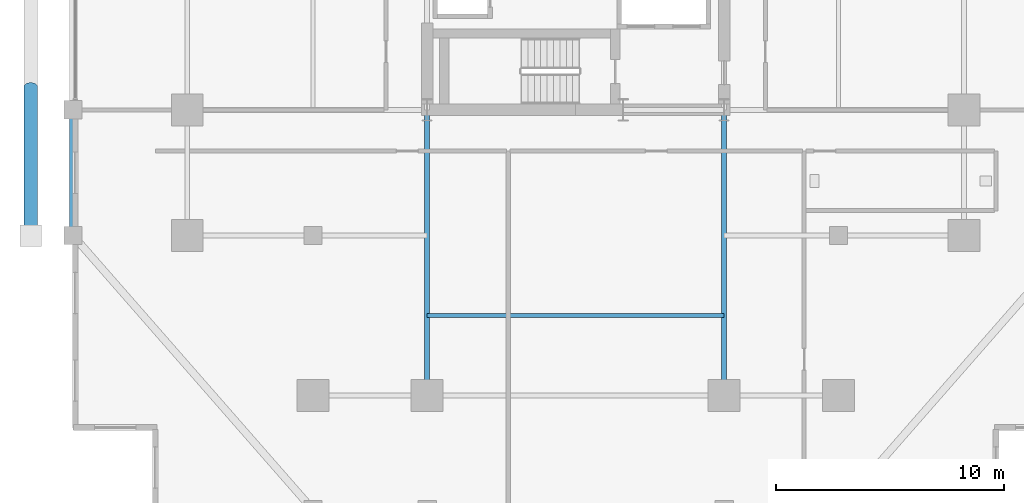
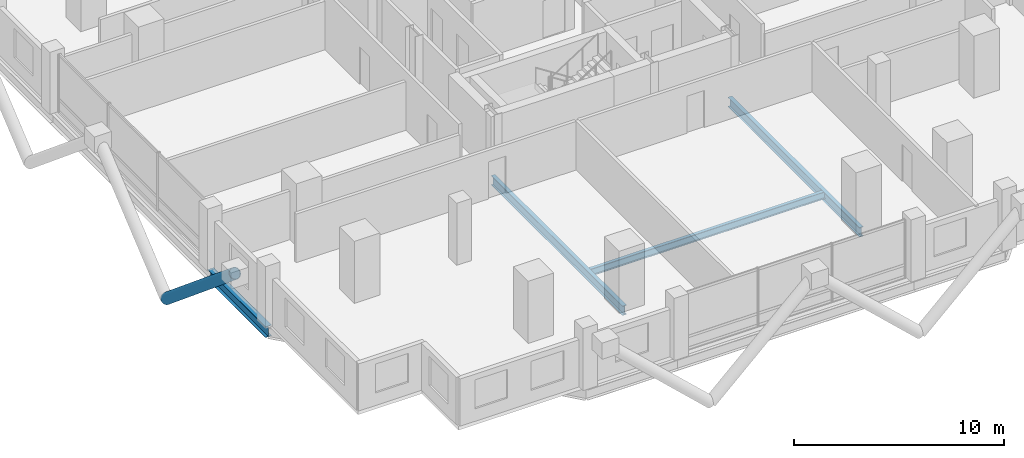
# One storey, part 3 of 21: 4 beams, 1 member.
"""IFC4 building model written with IfcOpenShell, lengths in metres."""

from ifc_helpers import new_model, si_unit, direction, frame, origin, origin_2d, place, context, subcontext, project, spatial, hollow_circle, i_section, extrude, material, material_profile, profile_set, type_object, element, save


model = new_model("IFC4")

# Units and contexts
model_context = context("Model", 3, precision=1e-05, world=origin(), true_north=direction((0.0, 1.0)))
body_context = subcontext(model_context, "Body", "Model", "MODEL_VIEW")
ifc_project = project(units=[si_unit("LENGTHUNIT", "METRE"), si_unit("AREAUNIT", "SQUARE_METRE"), si_unit("VOLUMEUNIT", "CUBIC_METRE"), si_unit("PLANEANGLEUNIT", "RADIAN"), si_unit("MASSUNIT", "GRAM", prefix="KILO")], contexts=[model_context])

# Site, building, storey
site_placement = place(None, origin())
site = spatial("IfcSite", under=ifc_project, at=site_placement, CompositionType="ELEMENT")
building_placement = place(site_placement, origin())
building = spatial("IfcBuilding", under=site, at=building_placement, Name="Barlavira Tower and Art Museum", CompositionType="ELEMENT")
storey_placement = place(building_placement, frame((0.0, 0.0, 79.199951171875)))
storey = spatial("IfcBuildingStorey", under=building, at=storey_placement, Name="L19", CompositionType="ELEMENT", Elevation=79.199951171875)

# Member
ifc_material = material(Name="Steel S355", Category="steel")
ifc_material_profile_1 = material_profile(ifc_material, hollow_circle(Radius=0.304931640625, WallThickness=0.028076171875, at=origin_2d()), Name="CHS 610.0x28.0")
ifc_profile_set_1 = profile_set([ifc_material_profile_1], Name="Steel S355")
member_type = type_object("IfcMemberType", Name="Pale-Metal Exoskeleton Diagrid Tube CHS 610x28 Steel S355", PredefinedType="BRACE", material=ifc_profile_set_1)
member_placement = place(storey_placement, frame((-23.85009765625, -6.5, -1.919921875), z_axis=(0.0, -0.769196053329, 0.639012857104), x_axis=(1.0, 0.0, 0.0)))
element("IfcMember", 1, at=member_placement, inside=storey, type_object=member_type, Name="L19 Exoskeleton Diagrid Tube W", PredefinedType="BRACE", context=body_context, shape_type="SweptSolid", body=[
    extrude(hollow_circle(Radius=0.304931640625, WallThickness=0.028076171875, at=origin_2d()), origin(), (0.0, 0.0, 1.0), 8.450439453125),
])

# Beams
ifc_material_profile_2 = material_profile(ifc_material, i_section(OverallWidth=0.327880859375, OverallDepth=0.62890625, WebThickness=0.013916015625, FlangeThickness=0.021484375, at=origin_2d()), Name="W610x174.0")
ifc_profile_set_2 = profile_set([ifc_material_profile_2], Name="Steel S355")
beam_type_1 = type_object("IfcBeamType", Name="Perimeter Spandrel Edge Beam W610x174 Steel S355", PredefinedType="SPANDREL", material=ifc_profile_set_2)
beam_1_placement = place(storey_placement, frame((-22.0, -13.0, -0.534423828125), z_axis=(0.0, 1.0, 0.0), x_axis=(-1.0, 0.0, 0.0)))
element("IfcBeam", 2, at=beam_1_placement, inside=storey, type_object=beam_type_1, Name="L19 Spandrel 15", PredefinedType="SPANDREL", context=body_context, shape_type="SweptSolid", body=[
    extrude(i_section(OverallWidth=0.327880859375, OverallDepth=0.62890625, WebThickness=0.013916015625, FlangeThickness=0.021484375, at=origin_2d()), origin(), (0.0, 0.0, 1.0), 5.5),
])
ifc_material_profile_3 = material_profile(ifc_material, i_section(OverallWidth=0.180908203125, OverallDepth=0.4169921875, WebThickness=0.010986328125, FlangeThickness=0.018310546875, at=origin_2d()), Name="W410x85.0")
ifc_profile_set_3 = profile_set([ifc_material_profile_3], Name="Steel S355")
beam_type_2 = type_object("IfcBeamType", Name="Zone 1 Composite Floor Joist W410x85 Steel S355", PredefinedType="JOIST", material=ifc_profile_set_3)
beam_2_placement = place(storey_placement, frame((-6.5, -16.5, -0.428466796875), z_axis=(1.0, 0.0, 0.0), x_axis=(0.0, 1.0, 0.0)))
element("IfcBeam", 3, at=beam_2_placement, inside=storey, type_object=beam_type_2, Name="L19 Joist C1", PredefinedType="JOIST", context=body_context, shape_type="SweptSolid", body=[
    extrude(i_section(OverallWidth=0.180908203125, OverallDepth=0.4169921875, WebThickness=0.010986328125, FlangeThickness=0.018310546875, at=origin_2d()), origin(), (0.0, 0.0, 1.0), 13.0),
])
ifc_material_profile_4 = material_profile(ifc_material, i_section(OverallWidth=0.214111328125, OverallDepth=0.549072265625, WebThickness=0.0146484375, FlangeThickness=0.023681640625, at=origin_2d()), Name="W530x138.0")
ifc_profile_set_4 = profile_set([ifc_material_profile_4], Name="Steel S355")
beam_type_3 = type_object("IfcBeamType", Name="Zone 1 Primary Floor Girder W530x138 Steel S355", PredefinedType="BEAM", material=ifc_profile_set_4)
for number, where, z_axis, x_axis, name in (
    (4, (-6.5, -20.0, -0.494384765625), (0.0, 1.0, 0.0), (-1.0, 0.0, 0.0), "L19 Girder R-S1"),
    (5, (6.5, -20.0, -0.494384765625), (0.0, 1.0, 0.0), (-1.0, 0.0, 0.0), "L19 Girder R-S2"),
):
    element("IfcBeam", number, at=place(storey_placement, frame(where, z_axis=z_axis, x_axis=x_axis)), inside=storey, type_object=beam_type_3, Name=name, PredefinedType="BEAM", context=body_context, shape_type="SweptSolid", body=[
        extrude(i_section(OverallWidth=0.214111328125, OverallDepth=0.549072265625, WebThickness=0.0146484375, FlangeThickness=0.023681640625, at=origin_2d()), origin(), (0.0, 0.0, 1.0), 12.5),
    ])

save(model, "model.ifc")
